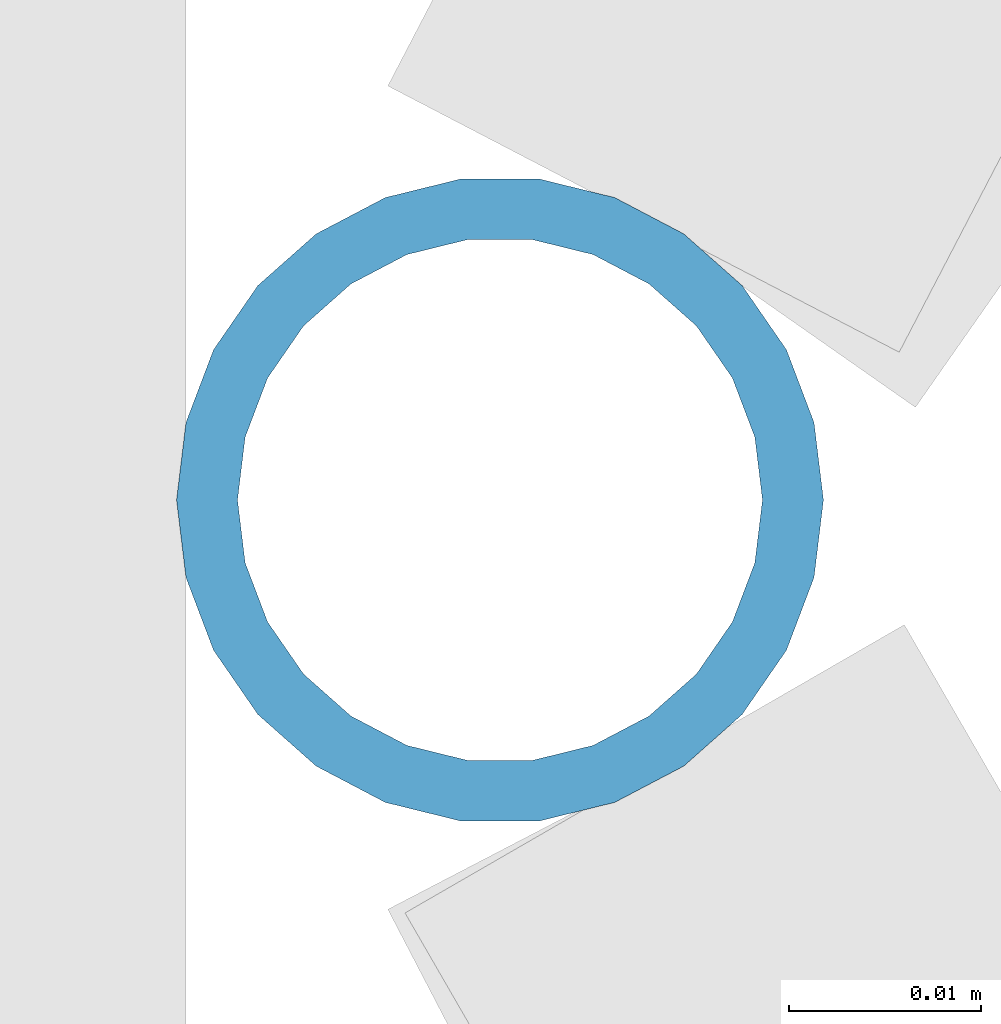
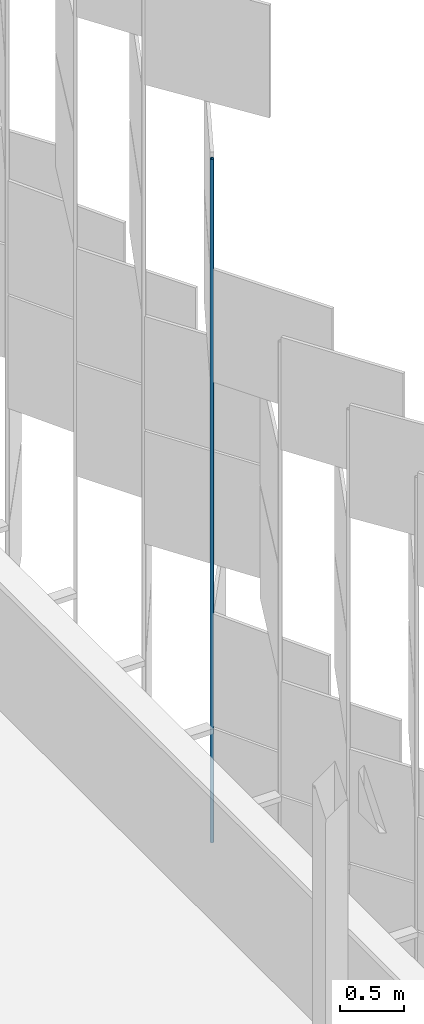
# One storey, part 271 of 483: 1 discrete accessory.
"""IFC4 building model written with IfcOpenShell, lengths in metres."""

from ifc_helpers import new_model, si_unit, direction, frame, origin, origin_2d, place, context, subcontext, project, spatial, hollow_circle, extrude, material, material_profile, profile_set, type_object, element, save


model = new_model("IFC4")

# Units and contexts
model_context = context("Model", 3, precision=1e-05, world=origin(), true_north=direction((0.0, 1.0)))
body_context = subcontext(model_context, "Body", "Model", "MODEL_VIEW")
ifc_project = project(units=[si_unit("LENGTHUNIT", "METRE"), si_unit("AREAUNIT", "SQUARE_METRE"), si_unit("VOLUMEUNIT", "CUBIC_METRE"), si_unit("PLANEANGLEUNIT", "RADIAN"), si_unit("MASSUNIT", "GRAM", prefix="KILO")], contexts=[model_context])

# Site, building, storey
site_placement = place(None, origin())
site = spatial("IfcSite", under=ifc_project, at=site_placement, CompositionType="ELEMENT")
building_placement = place(site_placement, origin())
building = spatial("IfcBuilding", under=site, at=building_placement, Name="Parallax Yard Mobility Hub", CompositionType="ELEMENT")
storey_placement = place(building_placement, frame((0.0, 0.0, 13.199951171875)))
storey = spatial("IfcBuildingStorey", under=building, at=storey_placement, Name="L04", CompositionType="ELEMENT", Elevation=13.199951171875)

# Discrete accessory
ifc_material = material(Name="Steel ASTM A500 Gr C, hot-dip galvanised", Category="steel")
ifc_material_profile = material_profile(ifc_material, hollow_circle(Radius=0.016845703125, WallThickness=0.003173828125, at=origin_2d()), Name="CHS 33.7x3.2")
ifc_profile_set = profile_set([ifc_material_profile], Name="Steel ASTM A500 Gr C, hot-dip galvanised")
discrete_accessory_type = type_object("IfcDiscreteAccessoryType", Name="Hinge post CHS 33.7x3.2", PredefinedType="BRACKET", material=ifc_profile_set)
discrete_accessory_placement = place(storey_placement, frame((225.300048828125, 71.782958984375, 0.0), z_axis=(0.0, 0.0, 1.0), x_axis=(1.0, 0.0, 0.0)))
element("IfcDiscreteAccessory", 1, at=discrete_accessory_placement, inside=storey, type_object=discrete_accessory_type, Name="Hinge post bay 38.5 level L04", PredefinedType="BRACKET", context=body_context, shape_type="SweptSolid", body=[
    extrude(hollow_circle(Radius=0.016845703125, WallThickness=0.003173828125, at=origin_2d()), origin(), (0.0, 0.0, 1.0), 6.550048828125),
])

save(model, "model.ifc")
